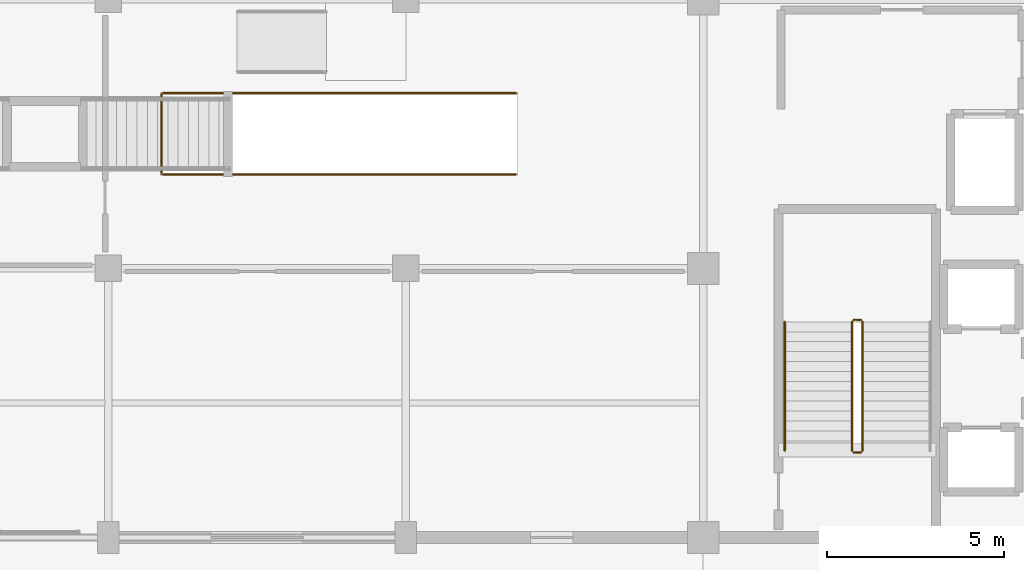
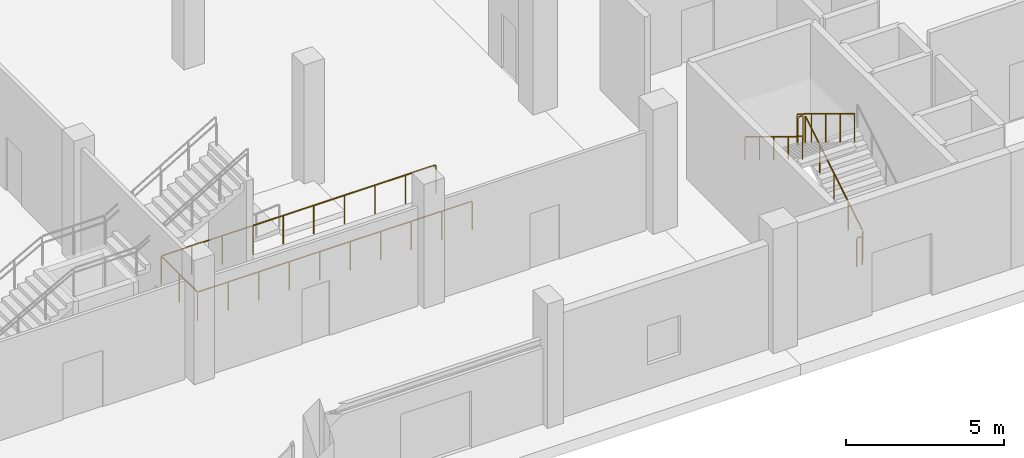
# One storey, part 27 of 36: 6 railings.
"""IFC4 building model written with IfcOpenShell, lengths in metres."""

from ifc_helpers import new_model, si_unit, direction, frame, origin, origin_2d, place, context, subcontext, project, spatial, circle, extrude, material, type_object, element, save


model = new_model("IFC4")

# Units and contexts
model_context = context("Model", 3, precision=1e-05, world=origin(), true_north=direction((0.0, 1.0)))
body_context = subcontext(model_context, "Body", "Model", "MODEL_VIEW")
ifc_project = project(units=[si_unit("LENGTHUNIT", "METRE"), si_unit("AREAUNIT", "SQUARE_METRE"), si_unit("VOLUMEUNIT", "CUBIC_METRE"), si_unit("PLANEANGLEUNIT", "RADIAN"), si_unit("MASSUNIT", "GRAM", prefix="KILO")], contexts=[model_context])

# Site, building, storey
site_placement = place(None, origin())
site = spatial("IfcSite", under=ifc_project, at=site_placement, CompositionType="ELEMENT")
building_placement = place(site_placement, origin())
building = spatial("IfcBuilding", under=site, at=building_placement, Name="Zuvorla Pavilion Media Centre", CompositionType="ELEMENT")
storey_placement = place(building_placement, origin())
storey = spatial("IfcBuildingStorey", under=building, at=storey_placement, Name="L00", CompositionType="ELEMENT", Elevation=0.0)

# Railings
ifc_material_1 = material(Name="Powder-coated steel balustrade guard", Category="steel")
railing_type_1 = type_object("IfcRailingType", Name="RL-INT-GRD", PredefinedType="BALUSTRADE", material=ifc_material_1)
railing_1_placement = place(storey_placement, frame((71.300048828125, 8.449951171875, 0.17138671875)))
element("IfcRailing", 1, at=railing_1_placement, inside=storey, type_object=railing_type_1, Name="L00 ST-01 stair guard 1", PredefinedType="BALUSTRADE", context=body_context, shape_type="SweptSolid", body=[
    extrude(circle(Radius=0.02392578125, at=origin_2d()), frame((0.0, 0.024658203125, 1.111083984375), z_axis=(0.0, 0.852865859571, 0.52213008492), x_axis=(-1.0, 0.0, 0.0)), (0.0, 0.0, 1.0), 4.21044921875),
    extrude(circle(Radius=0.02099609375, at=origin_2d()), origin(), (0.0, 0.0, 1.0), 1.070068359375),
    extrude(circle(Radius=0.02099609375, at=origin_2d()), frame((0.0, 0.91015625, 0.55712890625)), (0.0, 0.0, 1.0), 1.070068359375),
    extrude(circle(Radius=0.02099609375, at=origin_2d()), frame((0.0, 1.820068359375, 1.1142578125)), (0.0, 0.0, 1.0), 1.070068359375),
    extrude(circle(Radius=0.02099609375, at=origin_2d()), frame((0.0, 2.72998046875, 1.67138671875)), (0.0, 0.0, 1.0), 1.070068359375),
    extrude(circle(Radius=0.02099609375, at=origin_2d()), frame((0.0, 3.64013671875, 2.228515625)), (0.0, 0.0, 1.0), 1.070068359375),
])
railing_2_placement = place(storey_placement, frame((71.25, 12.139892578125, 2.39990234375)))
element("IfcRailing", 2, at=railing_2_placement, inside=storey, type_object=railing_type_1, Name="L00 ST-01 stair guard 2", PredefinedType="BALUSTRADE", context=body_context, shape_type="SweptSolid", body=[
    extrude(circle(Radius=0.02392578125, at=origin_2d()), frame((-0.02880859375, 0.0, 1.09619140625), z_axis=(-1.0, 0.0, 0.0), x_axis=(0.0, -1.0, 0.0)), (0.0, 0.0, 1.0), 0.142333984375),
    extrude(circle(Radius=0.02099609375, at=origin_2d()), origin(), (0.0, 0.0, 1.0), 1.070068359375),
    extrude(circle(Radius=0.02099609375, at=origin_2d()), frame((-0.199951171875, 0.0, 0.0)), (0.0, 0.0, 1.0), 1.070068359375),
])
railing_3_placement = place(storey_placement, frame((71.0, 12.090087890625, 2.571533203125)))
element("IfcRailing", 3, at=railing_3_placement, inside=storey, type_object=railing_type_1, Name="L00 ST-01 stair guard 3", PredefinedType="BALUSTRADE", context=body_context, shape_type="SweptSolid", body=[
    extrude(circle(Radius=0.02392578125, at=origin_2d()), frame((0.0, -0.024658203125, 1.111083984375), z_axis=(0.0, -0.852865859571, 0.52213008492), x_axis=(1.0, 0.0, 0.0)), (0.0, 0.0, 1.0), 4.21044921875),
    extrude(circle(Radius=0.02099609375, at=origin_2d()), origin(), (0.0, 0.0, 1.0), 1.070068359375),
    extrude(circle(Radius=0.02099609375, at=origin_2d()), frame((0.0, -0.91015625, 0.55712890625)), (0.0, 0.0, 1.0), 1.070068359375),
    extrude(circle(Radius=0.02099609375, at=origin_2d()), frame((0.0, -1.820068359375, 1.1142578125)), (0.0, 0.0, 1.0), 1.070068359375),
    extrude(circle(Radius=0.02099609375, at=origin_2d()), frame((0.0, -2.72998046875, 1.67138671875)), (0.0, 0.0, 1.0), 1.070068359375),
    extrude(circle(Radius=0.02099609375, at=origin_2d()), frame((0.0, -3.64013671875, 2.228515625)), (0.0, 0.0, 1.0), 1.070068359375),
])
railing_4_placement = place(storey_placement, frame((71.25, 8.39990234375, 0.0)))
element("IfcRailing", 4, at=railing_4_placement, inside=storey, type_object=railing_type_1, Name="L00 ST-01 stair guard 4", PredefinedType="BALUSTRADE", context=body_context, shape_type="SweptSolid", body=[
    extrude(circle(Radius=0.02392578125, at=origin_2d()), frame((-0.02880859375, 0.0, 1.09619140625), z_axis=(-1.0, 0.0, 0.0), x_axis=(0.0, -1.0, 0.0)), (0.0, 0.0, 1.0), 0.142333984375),
    extrude(circle(Radius=0.02099609375, at=origin_2d()), origin(), (0.0, 0.0, 1.0), 1.070068359375),
    extrude(circle(Radius=0.02099609375, at=origin_2d()), frame((-0.199951171875, 0.0, 0.0)), (0.0, 0.0, 1.0), 1.070068359375),
])
railing_5_placement = place(storey_placement, frame((61.5400390625, 16.25, 0.0)))
element("IfcRailing", 5, at=railing_5_placement, inside=storey, type_object=railing_type_1, Name="L00 ST-06 well guard", PredefinedType="BALUSTRADE", context=body_context, shape_type="SweptSolid", body=[
    extrude(circle(Radius=0.02392578125, at=origin_2d()), frame((-0.02880859375, 0.0, 1.09619140625), z_axis=(-1.0, 0.0, 0.0), x_axis=(0.0, -1.0, 0.0)), (0.0, 0.0, 1.0), 9.982421875),
    extrude(circle(Radius=0.02392578125, at=origin_2d()), frame((-10.0400390625, 0.02880859375, 1.09619140625), z_axis=(0.0, 1.0, 0.0), x_axis=(-1.0, 0.0, 0.0)), (0.0, 0.0, 1.0), 2.242431640625),
    extrude(circle(Radius=0.02392578125, at=origin_2d()), frame((-10.01123046875, 2.300048828125, 1.09619140625), z_axis=(1.0, 0.0, 0.0), x_axis=(0.0, 1.0, 0.0)), (0.0, 0.0, 1.0), 9.982421875),
    extrude(circle(Radius=0.02099609375, at=origin_2d()), origin(), (0.0, 0.0, 1.0), 1.070068359375),
    extrude(circle(Radius=0.02099609375, at=origin_2d()), frame((-1.115478515625, 0.0, 0.0)), (0.0, 0.0, 1.0), 1.070068359375),
    extrude(circle(Radius=0.02099609375, at=origin_2d()), frame((-2.231201171875, 0.0, 0.0)), (0.0, 0.0, 1.0), 1.070068359375),
    extrude(circle(Radius=0.02099609375, at=origin_2d()), frame((-3.3466796875, 0.0, 0.0)), (0.0, 0.0, 1.0), 1.070068359375),
    extrude(circle(Radius=0.02099609375, at=origin_2d()), frame((-4.462158203125, 0.0, 0.0)), (0.0, 0.0, 1.0), 1.070068359375),
    extrude(circle(Radius=0.02099609375, at=origin_2d()), frame((-5.577880859375, 0.0, 0.0)), (0.0, 0.0, 1.0), 1.070068359375),
    extrude(circle(Radius=0.02099609375, at=origin_2d()), frame((-6.693359375, 0.0, 0.0)), (0.0, 0.0, 1.0), 1.070068359375),
    extrude(circle(Radius=0.02099609375, at=origin_2d()), frame((-7.808837890625, 0.0, 0.0)), (0.0, 0.0, 1.0), 1.070068359375),
    extrude(circle(Radius=0.02099609375, at=origin_2d()), frame((-8.924560546875, 0.0, 0.0)), (0.0, 0.0, 1.0), 1.070068359375),
    extrude(circle(Radius=0.02099609375, at=origin_2d()), frame((-10.0400390625, 0.0, 0.0)), (0.0, 0.0, 1.0), 1.070068359375),
    extrude(circle(Radius=0.02099609375, at=origin_2d()), frame((-10.0400390625, 1.14990234375, 0.0)), (0.0, 0.0, 1.0), 1.070068359375),
    extrude(circle(Radius=0.02099609375, at=origin_2d()), frame((-10.0400390625, 2.300048828125, 0.0)), (0.0, 0.0, 1.0), 1.070068359375),
    extrude(circle(Radius=0.02099609375, at=origin_2d()), frame((-8.924560546875, 2.300048828125, 0.0)), (0.0, 0.0, 1.0), 1.070068359375),
    extrude(circle(Radius=0.02099609375, at=origin_2d()), frame((-7.808837890625, 2.300048828125, 0.0)), (0.0, 0.0, 1.0), 1.070068359375),
    extrude(circle(Radius=0.02099609375, at=origin_2d()), frame((-6.693359375, 2.300048828125, 0.0)), (0.0, 0.0, 1.0), 1.070068359375),
    extrude(circle(Radius=0.02099609375, at=origin_2d()), frame((-5.577880859375, 2.300048828125, 0.0)), (0.0, 0.0, 1.0), 1.070068359375),
    extrude(circle(Radius=0.02099609375, at=origin_2d()), frame((-4.462158203125, 2.300048828125, 0.0)), (0.0, 0.0, 1.0), 1.070068359375),
    extrude(circle(Radius=0.02099609375, at=origin_2d()), frame((-3.3466796875, 2.300048828125, 0.0)), (0.0, 0.0, 1.0), 1.070068359375),
    extrude(circle(Radius=0.02099609375, at=origin_2d()), frame((-2.231201171875, 2.300048828125, 0.0)), (0.0, 0.0, 1.0), 1.070068359375),
    extrude(circle(Radius=0.02099609375, at=origin_2d()), frame((-1.115478515625, 2.300048828125, 0.0)), (0.0, 0.0, 1.0), 1.070068359375),
    extrude(circle(Radius=0.02099609375, at=origin_2d()), frame((0.0, 2.300048828125, 0.0)), (0.0, 0.0, 1.0), 1.070068359375),
])
ifc_material_2 = material(Name="Brushed stainless steel tubular handrail", Category="steel")
railing_type_2 = type_object("IfcRailingType", Name="RL-INT-HND", PredefinedType="HANDRAIL", material=ifc_material_2)
railing_6_placement = place(storey_placement, frame((69.10009765625, 12.090087890625, 2.571533203125)))
element("IfcRailing", 6, at=railing_6_placement, inside=storey, type_object=railing_type_2, Name="L00 ST-01 handrail 2", PredefinedType="HANDRAIL", context=body_context, shape_type="SweptSolid", body=[
    extrude(circle(Radius=0.02392578125, at=origin_2d()), frame((0.0, -0.024658203125, 0.890869140625), z_axis=(0.0, -0.852865859571, 0.52213008492), x_axis=(1.0, 0.0, 0.0)), (0.0, 0.0, 1.0), 4.21044921875),
    extrude(circle(Radius=0.02099609375, at=origin_2d()), origin(), (0.0, 0.0, 1.0), 0.849853515625),
    extrude(circle(Radius=0.02099609375, at=origin_2d()), frame((0.0, -0.91015625, 0.55712890625)), (0.0, 0.0, 1.0), 0.849853515625),
    extrude(circle(Radius=0.02099609375, at=origin_2d()), frame((0.0, -1.820068359375, 1.1142578125)), (0.0, 0.0, 1.0), 0.849853515625),
    extrude(circle(Radius=0.02099609375, at=origin_2d()), frame((0.0, -2.72998046875, 1.67138671875)), (0.0, 0.0, 1.0), 0.849853515625),
    extrude(circle(Radius=0.02099609375, at=origin_2d()), frame((0.0, -3.64013671875, 2.228515625)), (0.0, 0.0, 1.0), 0.849853515625),
])

save(model, "model.ifc")
